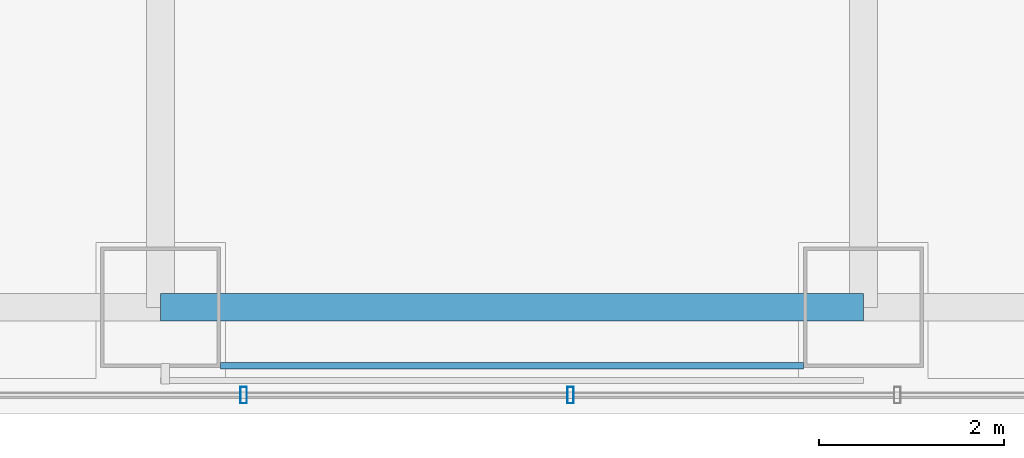
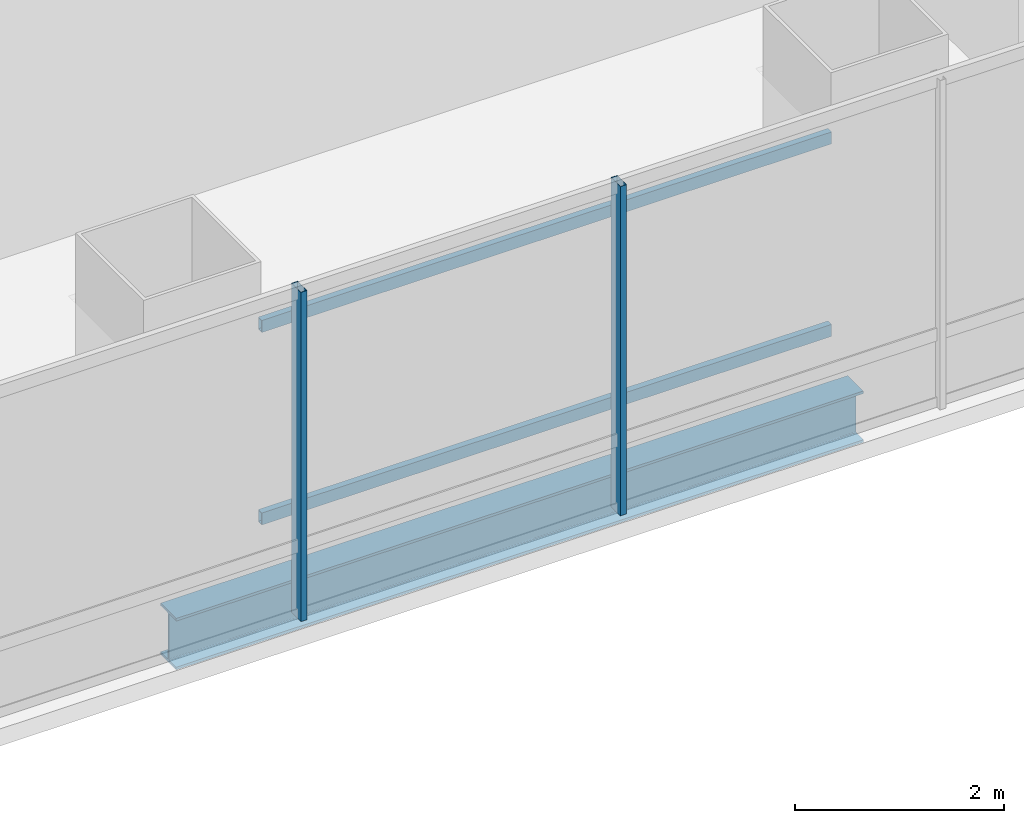
# One storey, part 6 of 42: 4 members, 1 beam, 1 element without a shape of its own.
"""IFC4 building model written with IfcOpenShell, lengths in metres."""

from ifc_helpers import new_model, si_unit, direction, frame, origin, origin_2d, place, context, subcontext, project, spatial, hollow_rectangle, i_section, extrude, material, material_profile, profile_set, type_object, element, aggregate, save


model = new_model("IFC4")

# Units and contexts
model_context = context("Model", 3, precision=1e-05, world=origin(), true_north=direction((0.0, 1.0)))
body_context = subcontext(model_context, "Body", "Model", "MODEL_VIEW")
ifc_project = project(units=[si_unit("LENGTHUNIT", "METRE"), si_unit("AREAUNIT", "SQUARE_METRE"), si_unit("VOLUMEUNIT", "CUBIC_METRE"), si_unit("PLANEANGLEUNIT", "RADIAN"), si_unit("MASSUNIT", "GRAM", prefix="KILO")], contexts=[model_context])

# Site, building, storey
site_placement = place(None, origin())
site = spatial("IfcSite", under=ifc_project, at=site_placement, CompositionType="ELEMENT")
building_placement = place(site_placement, origin())
building = spatial("IfcBuilding", under=site, at=building_placement, Name="Punatoya Terracotta Tower", CompositionType="ELEMENT")
storey_placement = place(building_placement, frame((0.0, 0.0, 263.550048828125)))
storey = spatial("IfcBuildingStorey", under=building, at=storey_placement, Name="L62", CompositionType="ELEMENT", Elevation=263.550048828125)

# Beam
ifc_material_1 = material(Name="Steel S355", Category="steel")
ifc_material_profile_1 = material_profile(ifc_material_1, i_section(OverallWidth=0.300048828125, OverallDepth=0.60009765625, WebThickness=0.015380859375, FlangeThickness=0.030029296875, FilletRadius=0.01806640625, at=origin_2d()))
ifc_profile_set_1 = profile_set([ifc_material_profile_1], Name="Steel S355")
beam_type = type_object("IfcBeamType", Name="BM-PRI-600", PredefinedType="BEAM", material=ifc_profile_set_1)
beam_placement = place(storey_placement, frame((-3.800048828125, -17.5, -0.5), z_axis=(1.0, 0.0, 0.0), x_axis=(0.0, 1.0, 0.0)))
element("IfcBeam", 1, at=beam_placement, inside=storey, type_object=beam_type, Name="BM-L62-RG-S2", PredefinedType="BEAM", context=body_context, shape_type="SweptSolid", body=[
    extrude(i_section(OverallWidth=0.300048828125, OverallDepth=0.60009765625, WebThickness=0.015380859375, FlangeThickness=0.030029296875, FilletRadius=0.01806640625, at=origin_2d()), origin(), (0.0, 0.0, 1.0), 7.60009765625),
])

# Curtain wall, members
ifc_material_2 = material(Name="Aluminium 6063-T6 + Double Low-E Glass", Category="aluminium")
curtain_wall_type = type_object("IfcCurtainWallType", Name="CW-M3", PredefinedType="NOTDEFINED", material=ifc_material_2)
curtain_wall_placement = place(storey_placement, origin())
curtain_wall = element("IfcCurtainWall", 2, at=curtain_wall_placement, inside=storey, type_object=curtain_wall_type, Name="L62 Curtain Wall CW-L62-S01-1", PredefinedType="NOTDEFINED")
ifc_material_3 = material(Name="Aluminium 6063-T6", Category="aluminium")
ifc_material_profile_2 = material_profile(ifc_material_3, hollow_rectangle(XDim=0.070068359375, YDim=0.179931640625, WallThickness=0.00390625, at=origin_2d()))
ifc_profile_set_2 = profile_set([ifc_material_profile_2], Name="Aluminium 6063-T6")
member_type_1 = type_object("IfcMemberType", Name="CW-MUL-M3", PredefinedType="MULLION", material=ifc_profile_set_2)
member_1_placement = place(storey_placement, frame((-2.90087890625, -18.449951171875, 0.0), z_axis=(0.0, 0.0, 1.0), x_axis=(1.0, 0.0, 0.0)))
member_1 = element("IfcMember", 3, at=member_1_placement, type_object=member_type_1, Name="CW-L62-S01-1 Mullion 04", PredefinedType="MULLION", context=body_context, shape_type="SweptSolid", body=[
    extrude(hollow_rectangle(XDim=0.070068359375, YDim=0.179931640625, WallThickness=0.00390625, at=origin_2d()), origin(), (0.0, 0.0, 1.0), 3.849853515625),
])
member_2_placement = place(storey_placement, frame((0.633056640625, -18.449951171875, 0.0), z_axis=(0.0, 0.0, 1.0), x_axis=(1.0, 0.0, 0.0)))
member_2 = element("IfcMember", 4, at=member_2_placement, type_object=member_type_1, Name="CW-L62-S01-1 Mullion 05", PredefinedType="MULLION", context=body_context, shape_type="SweptSolid", body=[
    extrude(hollow_rectangle(XDim=0.070068359375, YDim=0.179931640625, WallThickness=0.00390625, at=origin_2d()), origin(), (0.0, 0.0, 1.0), 3.849853515625),
])
aggregate(curtain_wall, [member_1, member_2])

# Members
ifc_material_profile_3 = material_profile(ifc_material_1, hollow_rectangle(XDim=0.070068359375, YDim=0.139892578125, WallThickness=0.006103515625, at=origin_2d()))
ifc_profile_set_3 = profile_set([ifc_material_profile_3], Name="Steel S355")
member_type_2 = type_object("IfcMemberType", Name="MEM-BAG-RAIL", PredefinedType="USERDEFINED", material=ifc_profile_set_3)
for number, where, z_axis, x_axis, name in (
    (5, (-3.150390625, -18.132080078125, 1.050048828125), (1.0, 0.0, 0.0), (0.0, 1.0, 0.0), "L62 Terracotta Baguette Carrier Rail BAG-L62-S-R1"),
    (6, (-3.150390625, -18.132080078125, 3.300048828125), (1.0, 0.0, 0.0), (0.0, 1.0, 0.0), "L62 Terracotta Baguette Carrier Rail BAG-L62-S-R2"),
):
    element("IfcMember", number, at=place(storey_placement, frame(where, z_axis=z_axis, x_axis=x_axis)), inside=storey, type_object=member_type_2, Name=name, ObjectType="BAGUETTE", PredefinedType="USERDEFINED", context=body_context, shape_type="SweptSolid", body=[
        extrude(hollow_rectangle(XDim=0.070068359375, YDim=0.139892578125, WallThickness=0.006103515625, at=origin_2d()), origin(), (0.0, 0.0, 1.0), 6.30078125),
    ])

save(model, "model.ifc")
